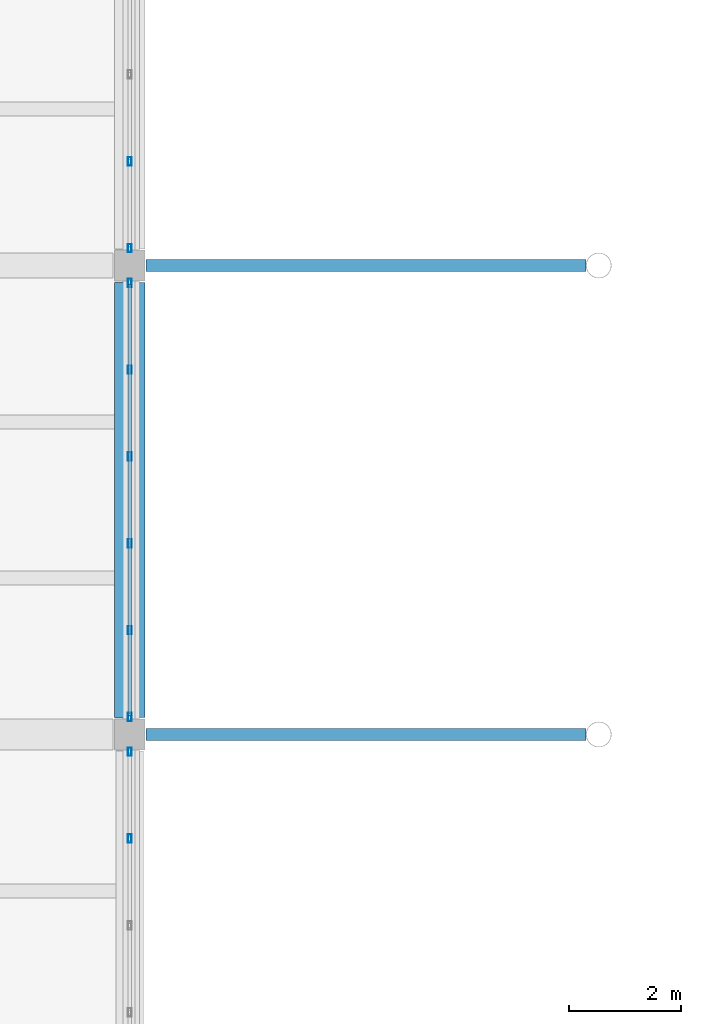
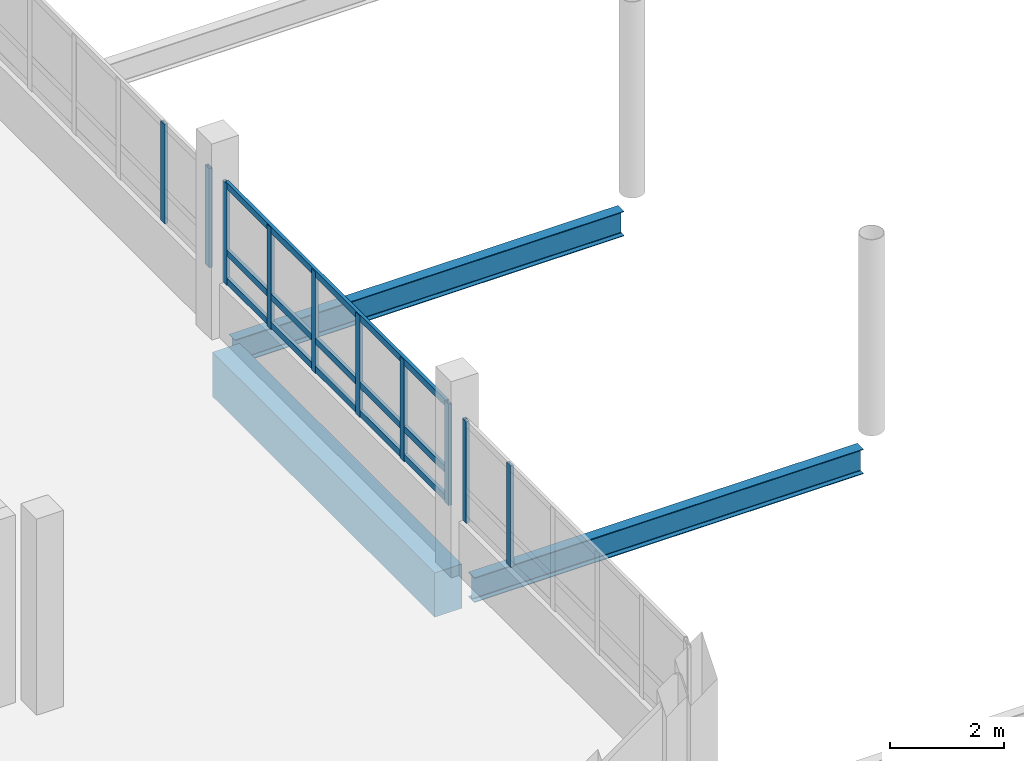
# One storey, part 36 of 130: 13 members, 3 beams, 3 elements without a shape of their own.
"""IFC4 building model written with IfcOpenShell, lengths in metres."""

from ifc_helpers import new_model, si_unit, direction, frame, origin, origin_2d, place, context, subcontext, project, spatial, rectangle, hollow_rectangle, i_section, extrude, material, layer, layer_set, material_profile, profile_set, type_object, element, aggregate, save


model = new_model("IFC4")

# Units and contexts
model_context = context("Model", 3, precision=1e-05, world=origin(), true_north=direction((0.0, 1.0)))
body_context = subcontext(model_context, "Body", "Model", "MODEL_VIEW")
ifc_project = project(units=[si_unit("LENGTHUNIT", "METRE"), si_unit("AREAUNIT", "SQUARE_METRE"), si_unit("VOLUMEUNIT", "CUBIC_METRE"), si_unit("PLANEANGLEUNIT", "RADIAN"), si_unit("MASSUNIT", "GRAM", prefix="KILO")], contexts=[model_context])

# Site, building, storey
site_placement = place(None, origin())
site = spatial("IfcSite", under=ifc_project, at=site_placement, CompositionType="ELEMENT")
building_placement = place(site_placement, origin())
building = spatial("IfcBuilding", under=site, at=building_placement, Name="Vireocrest Preparatory School", CompositionType="ELEMENT")
storey_placement = place(building_placement, frame((0.0, 0.0, 9.0)))
storey = spatial("IfcBuildingStorey", under=building, at=storey_placement, Name="L02", CompositionType="ELEMENT", Elevation=9.0)

# Curtain wall, members
ifc_material_1 = material(Name="Thermally broken aluminium EN AW-6063-T6", Category="aluminium")
ifc_layer = layer(ifc_material_1, 0.179931640625)
ifc_layer_set = layer_set([ifc_layer], Name="Thermally broken aluminium EN AW-6063-T6")
curtain_wall_type = type_object("IfcCurtainWallType", Name="Court Banded Curtain Wall 8400x3000", PredefinedType="USERDEFINED", material=ifc_layer_set)
curtain_wall_1_placement = place(storey_placement, origin())
curtain_wall_1 = element("IfcCurtainWall", 1, at=curtain_wall_1_placement, inside=storey, type_object=curtain_wall_type, Name="Curtain Wall CW02 CW_L02_CW02_0672_0356_102", ObjectType="CURTAIN WALL", PredefinedType="USERDEFINED")
ifc_material_profile_1 = material_profile(ifc_material_1, hollow_rectangle(XDim=0.06494140625, YDim=0.14990234375, WallThickness=0.00390625, at=origin_2d()), Name="ALU 65x150x4")
ifc_profile_set_1 = profile_set([ifc_material_profile_1], Name="Thermally broken aluminium EN AW-6063-T6")
member_type_1 = type_object("IfcMemberType", Name="CW Mullion 65x150x4", PredefinedType="MULLION", material=ifc_profile_set_1)
member_1_placement = place(storey_placement, frame((67.199951171875, 41.93408203125, 1.14990234375), z_axis=(0.0, 0.0, 1.0), x_axis=(1.0, 0.0, 0.0)))
member_1 = element("IfcMember", 2, at=member_1_placement, type_object=member_type_1, Name="CW Mullion ML1 CW_L02_CW02_0672_0356_102-5", PredefinedType="MULLION", context=body_context, shape_type="SweptSolid", body=[
    extrude(hollow_rectangle(XDim=0.06494140625, YDim=0.14990234375, WallThickness=0.00390625, at=origin_2d()), origin(), (0.0, 0.0, 1.0), 2.175048828125),
])
member_2_placement = place(storey_placement, frame((67.199951171875, 43.489990234375, 1.14990234375), z_axis=(0.0, 0.0, 1.0), x_axis=(1.0, 0.0, 0.0)))
member_2 = element("IfcMember", 3, at=member_2_placement, type_object=member_type_1, Name="CW Mullion ML1 CW_L02_CW02_0672_0356_102-6", PredefinedType="MULLION", context=body_context, shape_type="SweptSolid", body=[
    extrude(hollow_rectangle(XDim=0.06494140625, YDim=0.14990234375, WallThickness=0.00390625, at=origin_2d()), origin(), (0.0, 0.0, 1.0), 2.175048828125),
])
aggregate(curtain_wall_1, [member_1, member_2])

curtain_wall_2_placement = place(storey_placement, origin())
curtain_wall_2 = element("IfcCurtainWall", 4, at=curtain_wall_2_placement, inside=storey, type_object=curtain_wall_type, Name="Curtain Wall CW02 CW_L02_CW02_0672_0440_102", ObjectType="CURTAIN WALL", PredefinedType="USERDEFINED")
member_3_placement = place(storey_placement, frame((67.199951171875, 44.110107421875, 1.14990234375), z_axis=(0.0, 0.0, 1.0), x_axis=(1.0, 0.0, 0.0)))
member_3 = element("IfcMember", 5, at=member_3_placement, type_object=member_type_1, Name="CW Mullion ML1 CW_L02_CW02_0672_0440_102-1", PredefinedType="MULLION", context=body_context, shape_type="SweptSolid", body=[
    extrude(hollow_rectangle(XDim=0.06494140625, YDim=0.14990234375, WallThickness=0.00390625, at=origin_2d()), origin(), (0.0, 0.0, 1.0), 2.175048828125),
])
member_4_placement = place(storey_placement, frame((67.199951171875, 45.666015625, 1.14990234375), z_axis=(0.0, 0.0, 1.0), x_axis=(1.0, 0.0, 0.0)))
member_4 = element("IfcMember", 6, at=member_4_placement, type_object=member_type_1, Name="CW Mullion ML1 CW_L02_CW02_0672_0440_102-2", PredefinedType="MULLION", context=body_context, shape_type="SweptSolid", body=[
    extrude(hollow_rectangle(XDim=0.06494140625, YDim=0.14990234375, WallThickness=0.00390625, at=origin_2d()), origin(), (0.0, 0.0, 1.0), 2.175048828125),
])
member_5_placement = place(storey_placement, frame((67.199951171875, 47.221923828125, 1.14990234375), z_axis=(0.0, 0.0, 1.0), x_axis=(1.0, 0.0, 0.0)))
member_5 = element("IfcMember", 7, at=member_5_placement, type_object=member_type_1, Name="CW Mullion ML1 CW_L02_CW02_0672_0440_102-3", PredefinedType="MULLION", context=body_context, shape_type="SweptSolid", body=[
    extrude(hollow_rectangle(XDim=0.06494140625, YDim=0.14990234375, WallThickness=0.00390625, at=origin_2d()), origin(), (0.0, 0.0, 1.0), 2.175048828125),
])
member_6_placement = place(storey_placement, frame((67.199951171875, 48.778076171875, 1.14990234375), z_axis=(0.0, 0.0, 1.0), x_axis=(1.0, 0.0, 0.0)))
member_6 = element("IfcMember", 8, at=member_6_placement, type_object=member_type_1, Name="CW Mullion ML1 CW_L02_CW02_0672_0440_102-4", PredefinedType="MULLION", context=body_context, shape_type="SweptSolid", body=[
    extrude(hollow_rectangle(XDim=0.06494140625, YDim=0.14990234375, WallThickness=0.00390625, at=origin_2d()), origin(), (0.0, 0.0, 1.0), 2.175048828125),
])
member_7_placement = place(storey_placement, frame((67.199951171875, 50.333984375, 1.14990234375), z_axis=(0.0, 0.0, 1.0), x_axis=(1.0, 0.0, 0.0)))
member_7 = element("IfcMember", 9, at=member_7_placement, type_object=member_type_1, Name="CW Mullion ML1 CW_L02_CW02_0672_0440_102-5", PredefinedType="MULLION", context=body_context, shape_type="SweptSolid", body=[
    extrude(hollow_rectangle(XDim=0.06494140625, YDim=0.14990234375, WallThickness=0.00390625, at=origin_2d()), origin(), (0.0, 0.0, 1.0), 2.175048828125),
])
member_8_placement = place(storey_placement, frame((67.199951171875, 51.889892578125, 1.14990234375), z_axis=(0.0, 0.0, 1.0), x_axis=(1.0, 0.0, 0.0)))
member_8 = element("IfcMember", 10, at=member_8_placement, type_object=member_type_1, Name="CW Mullion ML1 CW_L02_CW02_0672_0440_102-6", PredefinedType="MULLION", context=body_context, shape_type="SweptSolid", body=[
    extrude(hollow_rectangle(XDim=0.06494140625, YDim=0.14990234375, WallThickness=0.00390625, at=origin_2d()), origin(), (0.0, 0.0, 1.0), 2.175048828125),
])

curtain_wall_3_placement = place(storey_placement, origin())
curtain_wall_3 = element("IfcCurtainWall", 11, at=curtain_wall_3_placement, inside=storey, type_object=curtain_wall_type, Name="Curtain Wall CW02 CW_L02_CW02_0672_0524_102", ObjectType="CURTAIN WALL", PredefinedType="USERDEFINED")
member_9_placement = place(storey_placement, frame((67.199951171875, 52.510009765625, 1.14990234375), z_axis=(0.0, 0.0, 1.0), x_axis=(1.0, 0.0, 0.0)))
member_9 = element("IfcMember", 12, at=member_9_placement, type_object=member_type_1, Name="CW Mullion ML1 CW_L02_CW02_0672_0524_102-1", PredefinedType="MULLION", context=body_context, shape_type="SweptSolid", body=[
    extrude(hollow_rectangle(XDim=0.06494140625, YDim=0.14990234375, WallThickness=0.00390625, at=origin_2d()), origin(), (0.0, 0.0, 1.0), 2.125),
])
member_10_placement = place(storey_placement, frame((67.199951171875, 54.06591796875, 1.14990234375), z_axis=(0.0, 0.0, 1.0), x_axis=(1.0, 0.0, 0.0)))
member_10 = element("IfcMember", 13, at=member_10_placement, type_object=member_type_1, Name="CW Mullion ML1 CW_L02_CW02_0672_0524_102-2", PredefinedType="MULLION", context=body_context, shape_type="SweptSolid", body=[
    extrude(hollow_rectangle(XDim=0.06494140625, YDim=0.14990234375, WallThickness=0.00390625, at=origin_2d()), origin(), (0.0, 0.0, 1.0), 2.125),
])
aggregate(curtain_wall_3, [member_9, member_10])

# Member
ifc_material_profile_2 = material_profile(ifc_material_1, hollow_rectangle(XDim=0.06494140625, YDim=0.139892578125, WallThickness=0.00390625, at=origin_2d()), Name="ALU 65x140x4")
ifc_profile_set_2 = profile_set([ifc_material_profile_2], Name="Thermally broken aluminium EN AW-6063-T6")
member_type_2 = type_object("IfcMemberType", Name="CW Transom 65x140x4", PredefinedType="USERDEFINED", material=ifc_profile_set_2)
member_11_placement = place(storey_placement, frame((67.199951171875, 44.135009765625, 1.2451171875), z_axis=(0.0, 1.0, 0.0), x_axis=(-1.0, 0.0, 0.0)))
member_11 = element("IfcMember", 14, at=member_11_placement, type_object=member_type_2, Name="CW Transom TR1 CW_L02_CW02_0672_0440_102-1", ObjectType="TRANSOM", PredefinedType="USERDEFINED", context=body_context, shape_type="SweptSolid", body=[
    extrude(hollow_rectangle(XDim=0.06494140625, YDim=0.139892578125, WallThickness=0.00390625, at=origin_2d()), origin(), (0.0, 0.0, 1.0), 7.72998046875),
])

member_12_placement = place(storey_placement, frame((67.199951171875, 44.135009765625, 1.85009765625), z_axis=(0.0, 1.0, 0.0), x_axis=(-1.0, 0.0, 0.0)))
member_12 = element("IfcMember", 15, at=member_12_placement, type_object=member_type_2, Name="CW Transom TR1 CW_L02_CW02_0672_0440_102-2", ObjectType="TRANSOM", PredefinedType="USERDEFINED", context=body_context, shape_type="SweptSolid", body=[
    extrude(hollow_rectangle(XDim=0.06494140625, YDim=0.139892578125, WallThickness=0.00390625, at=origin_2d()), origin(), (0.0, 0.0, 1.0), 7.72998046875),
])

member_13_placement = place(storey_placement, frame((67.199951171875, 44.135009765625, 3.284912109375), z_axis=(0.0, 1.0, 0.0), x_axis=(-1.0, 0.0, 0.0)))
member_13 = element("IfcMember", 16, at=member_13_placement, type_object=member_type_2, Name="CW Transom TR1 CW_L02_CW02_0672_0440_102-3", ObjectType="TRANSOM", PredefinedType="USERDEFINED", context=body_context, shape_type="SweptSolid", body=[
    extrude(hollow_rectangle(XDim=0.06494140625, YDim=0.139892578125, WallThickness=0.00390625, at=origin_2d()), origin(), (0.0, 0.0, 1.0), 7.72998046875),
])

aggregate(curtain_wall_2, [member_3, member_4, member_5, member_6, member_7, member_8, member_11, member_12, member_13])

# Beams
ifc_material_2 = material(Name="Structural steel ASTM A992 Grade 50", Category="steel")
ifc_material_profile_3 = material_profile(ifc_material_2, i_section(OverallWidth=0.208984375, OverallDepth=0.532958984375, WebThickness=0.01025390625, FlangeThickness=0.015625, FilletRadius=0.014892578125, at=origin_2d()), Name="W21X62")
ifc_profile_set_3 = profile_set([ifc_material_profile_3], Name="Structural steel ASTM A992 Grade 50")
beam_type_1 = type_object("IfcBeamType", Name="Court Tie Girder W21X62", PredefinedType="BEAM", material=ifc_profile_set_3)
for number, where, z_axis, x_axis, name in (
    (17, (67.4951171875, 43.800048828125, -0.56640625), (1.0, 0.0, 0.0), (0.0, 1.0, 0.0), "Court Trunk Lateral Tie Girder SB5 W3 L02"),
    (18, (67.4951171875, 52.199951171875, -0.56640625), (1.0, 0.0, 0.0), (0.0, 1.0, 0.0), "Court Trunk Lateral Tie Girder SB5 W4 L02"),
):
    element("IfcBeam", number, at=place(storey_placement, frame(where, z_axis=z_axis, x_axis=x_axis)), inside=storey, type_object=beam_type_1, Name=name, PredefinedType="BEAM", context=body_context, shape_type="SweptSolid", body=[
        extrude(i_section(OverallWidth=0.208984375, OverallDepth=0.532958984375, WebThickness=0.01025390625, FlangeThickness=0.015625, FilletRadius=0.014892578125, at=origin_2d()), origin(), (0.0, 0.0, 1.0), 7.88134765625),
    ])
ifc_material_3 = material(Name="Concrete 40 MPa", Category="concrete")
ifc_material_profile_4 = material_profile(ifc_material_3, rectangle(XDim=0.550048828125, YDim=0.949951171875, at=origin_2d()), Name="RC 550x950")
ifc_profile_set_4 = profile_set([ifc_material_profile_4], Name="Concrete 40 MPa")
beam_type_2 = type_object("IfcBeamType", Name="RC Setback Edge Girder 550x950", PredefinedType="BEAM", material=ifc_profile_set_4)
beam_placement = place(storey_placement, frame((67.199951171875, 44.10009765625, -0.715087890625), z_axis=(0.0, 1.0, 0.0), x_axis=(-1.0, 0.0, 0.0)))
element("IfcBeam", 19, at=beam_placement, inside=storey, type_object=beam_type_2, Name="Primary Girder B17 L02-0820", PredefinedType="BEAM", context=body_context, shape_type="SweptSolid", body=[
    extrude(rectangle(XDim=0.550048828125, YDim=0.949951171875, at=origin_2d()), origin(), (0.0, 0.0, 1.0), 7.7998046875),
])

save(model, "model.ifc")
